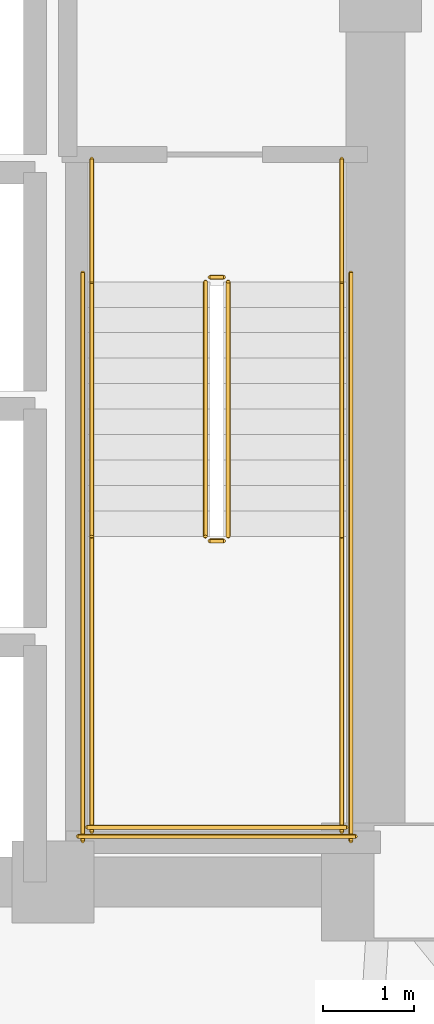
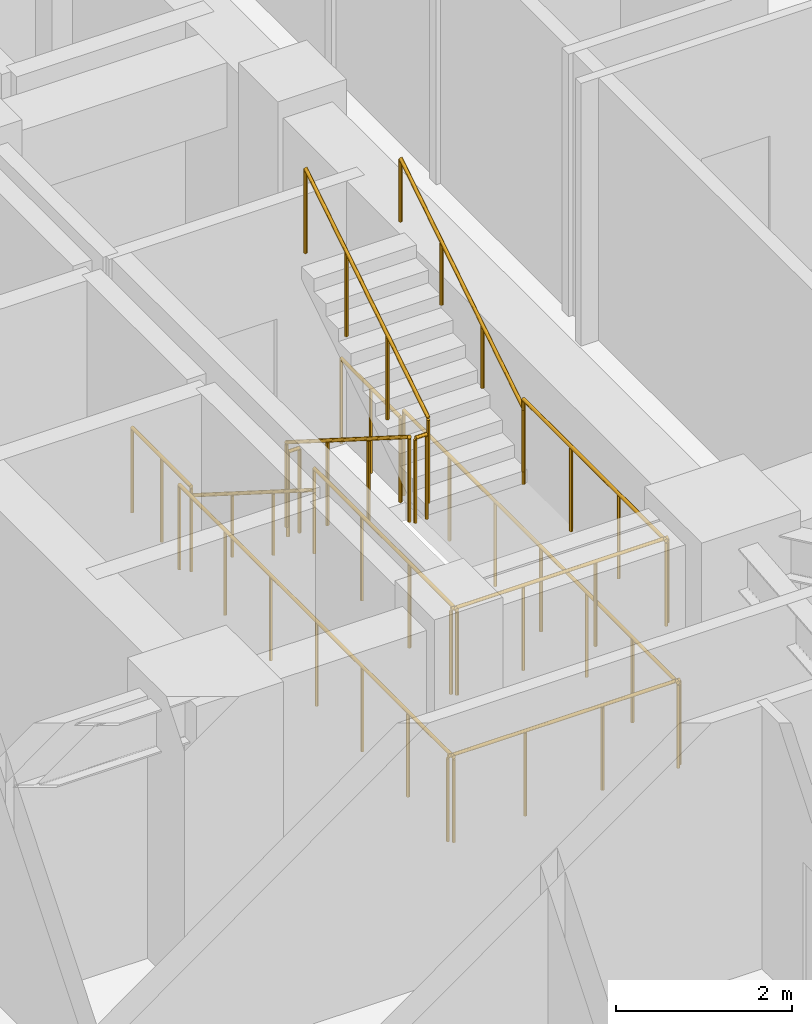
# One storey, part 12 of 12: 14 railings.
"""IFC4 building model written with IfcOpenShell, lengths in metres."""

import ifcopenshell
import ifcopenshell.guid

model = None  # the IFC model being written
_history = None  # IfcOwnerHistory: only IFC2X3 demands one
_inside = {}  # id of a spatial element -> (the spatial element, [elements in it])
_under = {}  # id of a project, library or spatial element -> (it, [spatial elements below it])
_declared = {}  # id of a project -> (the project, [libraries it declares])
_typed = {}  # id of a type object -> (the type object, [elements of that type])
_made_of = {}  # id of a material, layer set ... -> (it, [elements and type objects made of it])


def new_model(schema):
    """Start an empty IFC model of exactly this schema.

    Asked for "IFC4X3", IfcOpenShell would pick the latest addendum, in which some entities
    have other attributes; the version numbers below select the first issue.
    IFC2X3 requires an IfcOwnerHistory on every rooted entity: one is made here for all.
    """
    global model, _history
    if schema == "IFC4X3":
        model = ifcopenshell.file(schema_version=(4, 3, 0, 0))
    else:
        model = ifcopenshell.file(schema=schema)
    _inside.clear()
    _under.clear()
    _declared.clear()
    _typed.clear()
    _made_of.clear()
    _history = None
    if model.schema == "IFC2X3":
        org = make("IfcOrganization", Name="unknown")
        user = make(
            "IfcPersonAndOrganization",
            ThePerson=make("IfcPerson", FamilyName="unknown"),
            TheOrganization=org,
        )
        app = make(
            "IfcApplication",
            ApplicationDeveloper=org,
            Version="unknown",
            ApplicationFullName="unknown",
            ApplicationIdentifier="unknown",
        )
        _history = make(
            "IfcOwnerHistory",
            OwningUser=user,
            OwningApplication=app,
            ChangeAction="ADDED",
            CreationDate=0,
        )
    return model


def make(cls, **values):
    """One entity of the class cls with the attributes given. An attribute that is None is left unset."""
    return model.create_entity(
        cls, **{name: value for name, value in values.items() if value is not None}
    )


def rooted(cls, **values):
    """An entity with a GlobalId (a new one), such as an element, a storey or a relation."""
    return make(cls, GlobalId=ifcopenshell.guid.new(), OwnerHistory=_history, **values)


def si_unit(unit_type, name, prefix=None):
    """IfcSIUnit, for example si_unit("LENGTHUNIT", "METRE", prefix="MILLI")."""
    return make("IfcSIUnit", UnitType=unit_type, Prefix=prefix, Name=name)


def assignment(units):
    """IfcUnitAssignment: the units of a project."""
    return None if units is None else make("IfcUnitAssignment", Units=units)


def point(xyz):
    """IfcCartesianPoint."""
    return None if xyz is None else make("IfcCartesianPoint", Coordinates=xyz)


def direction(xyz):
    """IfcDirection."""
    return None if xyz is None else make("IfcDirection", DirectionRatios=xyz)


def frame(location, z_axis=None, x_axis=None):
    """IfcAxis2Placement3D, a coordinate frame: its origin and axes. An axis left out is left unset."""
    return make(
        "IfcAxis2Placement3D",
        Location=point(location),
        Axis=direction(z_axis),
        RefDirection=direction(x_axis),
    )


def frame_2d(location, x_axis=None):
    """IfcAxis2Placement2D, a coordinate frame in the plane: its origin and x axis."""
    return make(
        "IfcAxis2Placement2D", Location=point(location), RefDirection=direction(x_axis)
    )


def origin():
    """The frame at (0, 0, 0) with its axes left unset."""
    return frame((0.0, 0.0, 0.0))


def origin_2d():
    """The frame at (0, 0) in the plane with its x axis left unset."""
    return frame_2d((0.0, 0.0))


def place(relative_to, where):
    """IfcLocalPlacement: puts the frame where relative to a parent placement (None: the world)."""
    return make(
        "IfcLocalPlacement", PlacementRelTo=relative_to, RelativePlacement=where
    )


def context(
    kind, dimensions, precision=None, world=None, true_north=None, identifier=None
):
    """IfcGeometricRepresentationContext, for example the 3D "Model" context."""
    return make(
        "IfcGeometricRepresentationContext",
        ContextIdentifier=identifier,
        ContextType=kind,
        CoordinateSpaceDimension=dimensions,
        Precision=precision,
        WorldCoordinateSystem=world,
        TrueNorth=true_north,
    )


def subcontext(parent, identifier, kind, view, scale=None):
    """IfcGeometricRepresentationSubContext, for example "Body" below "Model"."""
    return make(
        "IfcGeometricRepresentationSubContext",
        ContextIdentifier=identifier,
        ContextType=kind,
        ParentContext=parent,
        TargetScale=scale,
        TargetView=view,
    )


def project(units=None, contexts=None):
    """IfcProject with its units and contexts."""
    return rooted(
        "IfcProject",
        Name="project",
        RepresentationContexts=contexts,
        UnitsInContext=assignment(units),
    )


def spatial(cls, under=None, at=None, **own):
    """A site, building, storey or space (cls), placed at a placement, below another one or the project."""
    s = rooted(cls, ObjectPlacement=at, **own)
    if under is not None:
        _under.setdefault(under.id(), (under, []))[1].append(s)
    return s


def profile(cls, at=None, kind="AREA", **sizes):
    """A parametric profile (cls). Its sizes go by their IFC names, for example OverallWidth=200.0."""
    return make(cls, ProfileType=kind, Position=at, **sizes)


def circle(**sizes):
    """IfcCircleProfileDef."""
    return profile("IfcCircleProfileDef", **sizes)


def extrude(swept, where, along, depth):
    """IfcExtrudedAreaSolid: the profile swept, set in the frame where, extruded along a direction by depth."""
    return make(
        "IfcExtrudedAreaSolid",
        SweptArea=swept,
        Position=where,
        ExtrudedDirection=direction(along),
        Depth=depth,
    )


def shape(context_of_items, identifier, shape_type, items):
    """IfcShapeRepresentation: the items that make up one representation, for example the "Body"."""
    return make(
        "IfcShapeRepresentation",
        ContextOfItems=context_of_items,
        RepresentationIdentifier=identifier,
        RepresentationType=shape_type,
        Items=items,
    )


def material(Name=None, Category=None):
    """IfcMaterial."""
    return make("IfcMaterial", Name=Name, Category=Category)


def made_of(thing, what):
    """Note that an element or type object is made of a material, layer set ...; save() writes the relation."""
    if what is not None:
        _made_of.setdefault(what.id(), (what, []))[1].append(thing)
    return thing


def type_object(cls, material=None, **own):
    """A type object (cls), such as IfcWallType, which elements share."""
    return made_of(rooted(cls, **own), material)


def element(
    cls,
    number,
    at=None,
    inside=None,
    cuts=None,
    type_object=None,
    material=None,
    context=None,
    identifier="Body",
    shape_type=None,
    held_by="IfcProductDefinitionShape",
    body=None,
    shapes=None,
    **own,
):
    """One element of the class cls, such as IfcWall. Its Tag is "e" and its number.

    at: its placement. inside: the storey or other place that contains it. cuts: it is an
    opening in that element (IfcRelVoidsElement). A single representation is given by context,
    identifier, shape_type and body (its items); several are given by shapes. held_by: the class
    of the entity that holds the representations. save() writes the other relations.
    """
    e = rooted(cls, Tag="e%d" % number, ObjectPlacement=at, **own)
    if body is not None:
        shapes = [shape(context, identifier, shape_type, body)]
    if shapes is not None:
        e.Representation = make(held_by, Representations=shapes)
    if inside is not None:
        _inside.setdefault(inside.id(), (inside, []))[1].append(e)
    if cuts is not None:
        rooted(
            "IfcRelVoidsElement", RelatingBuildingElement=cuts, RelatedOpeningElement=e
        )
    if type_object is not None:
        _typed.setdefault(type_object.id(), (type_object, []))[1].append(e)
    return made_of(e, material)


def aggregate(whole, parts):
    """IfcRelAggregates: a whole, such as a stair, and the parts it consists of."""
    return rooted("IfcRelAggregates", RelatingObject=whole, RelatedObjects=parts)


def save(model, path):
    """Write the relations noted so far, then the file.

    IfcRelAggregates (storeys below a building ...), IfcRelContainedInSpatialStructure (elements
    in a storey), IfcRelDefinesByType, IfcRelAssociatesMaterial and IfcRelDeclares: one each for
    every whole, place, type object, material and project.
    """
    for whole, parts in _under.values():
        aggregate(whole, parts)
    for where, things in _inside.values():
        rooted(
            "IfcRelContainedInSpatialStructure",
            RelatedElements=things,
            RelatingStructure=where,
        )
    for kind, things in _typed.values():
        rooted("IfcRelDefinesByType", RelatedObjects=things, RelatingType=kind)
    for what, things in _made_of.values():
        rooted("IfcRelAssociatesMaterial", RelatedObjects=things, RelatingMaterial=what)
    for by, libraries in _declared.values():
        rooted("IfcRelDeclares", RelatingContext=by, RelatedDefinitions=libraries)
    model.write(path)


model = new_model("IFC4")

# Units and contexts
model_context = context("Model", 3, precision=1e-05, world=origin(), true_north=direction((0.0, 1.0)))
body_context = subcontext(model_context, "Body", "Model", "MODEL_VIEW")
ifc_project = project(units=[si_unit("LENGTHUNIT", "METRE"), si_unit("AREAUNIT", "SQUARE_METRE"), si_unit("VOLUMEUNIT", "CUBIC_METRE"), si_unit("PLANEANGLEUNIT", "RADIAN"), si_unit("MASSUNIT", "GRAM", prefix="KILO")], contexts=[model_context])

# Site, building, storey
site_placement = place(None, origin())
site = spatial("IfcSite", under=ifc_project, at=site_placement, CompositionType="ELEMENT")
building_placement = place(site_placement, origin())
building = spatial("IfcBuilding", under=site, at=building_placement, Name="Voryun Gate Residences", CompositionType="ELEMENT")
storey_placement = place(building_placement, frame((0.0, 0.0, 109.199951171875)))
storey = spatial("IfcBuildingStorey", under=building, at=storey_placement, Name="L26", CompositionType="ELEMENT", Elevation=109.199951171875)

# Railings
ifc_material_1 = material(Name="Painted steel", Category="steel")
railing_type_1 = type_object("IfcRailingType", Name="RAIL_STAIR_GUARD_1200", PredefinedType="GUARDRAIL", material=ifc_material_1)
railing_1_placement = place(storey_placement, frame((17.27490234375, -0.800048828125, 0.17724609375)))
element("IfcRailing", 1, at=railing_1_placement, inside=storey, type_object=railing_type_1, Name="L26 ST-E1 stair guard 1", PredefinedType="GUARDRAIL", context=body_context, shape_type="SweptSolid", body=[
    extrude(circle(Radius=0.02392578125, at=origin_2d()), frame((0.0, 0.0, 1.17578125), z_axis=(0.0, -0.844908973607, 0.534910110503), x_axis=(1.0, 0.0, 0.0)), (0.0, 0.0, 1.0), 3.31396484375),
    extrude(circle(Radius=0.02099609375, at=origin_2d()), origin(), (0.0, 0.0, 1.0), 1.15185546875),
    extrude(circle(Radius=0.02099609375, at=origin_2d()), frame((0.0, -0.933349609375, 0.5908203125)), (0.0, 0.0, 1.0), 1.15185546875),
    extrude(circle(Radius=0.02099609375, at=origin_2d()), frame((0.0, -1.86669921875, 1.181884765625)), (0.0, 0.0, 1.0), 1.15185546875),
    extrude(circle(Radius=0.02099609375, at=origin_2d()), frame((0.0, -2.800048828125, 1.772705078125)), (0.0, 0.0, 1.0), 1.15185546875),
])
railing_2_placement = place(storey_placement, frame((17.324951171875, -3.64990234375, 1.949951171875)))
element("IfcRailing", 2, at=railing_2_placement, inside=storey, type_object=railing_type_1, Name="L26 ST-E1 stair guard 2", PredefinedType="GUARDRAIL", context=body_context, shape_type="SweptSolid", body=[
    extrude(circle(Radius=0.02392578125, at=origin_2d()), frame((0.0, 0.0, 1.17578125), z_axis=(1.0, 0.0, 0.0), x_axis=(0.0, 1.0, 0.0)), (0.0, 0.0, 1.0), 0.150146484375),
    extrude(circle(Radius=0.02099609375, at=origin_2d()), origin(), (0.0, 0.0, 1.0), 1.15185546875),
    extrude(circle(Radius=0.02099609375, at=origin_2d()), frame((0.150146484375, 0.0, 0.0)), (0.0, 0.0, 1.0), 1.15185546875),
])
for number, where, name in (
    (3, (16.02490234375, -3.60009765625, 1.949951171875), "L26 ST-E1 stair guard 3"),
    (4, (18.77490234375, -3.60009765625, 1.949951171875), "L26 ST-E1 stair guard 4"),
):
    element("IfcRailing", number, at=place(storey_placement, frame(where)), inside=storey, type_object=railing_type_1, Name=name, PredefinedType="GUARDRAIL", context=body_context, shape_type="SweptSolid", body=[
        extrude(circle(Radius=0.02392578125, at=origin_2d()), frame((0.0, 0.0, 1.17578125), z_axis=(0.0, -1.0, 0.0), x_axis=(1.0, 0.0, 0.0)), (0.0, 0.0, 1.0), 3.25),
        extrude(circle(Radius=0.02099609375, at=origin_2d()), origin(), (0.0, 0.0, 1.0), 1.15185546875),
        extrude(circle(Radius=0.02099609375, at=origin_2d()), frame((0.0, -1.083251953125, 0.0)), (0.0, 0.0, 1.0), 1.15185546875),
        extrude(circle(Radius=0.02099609375, at=origin_2d()), frame((0.0, -2.166748046875, 0.0)), (0.0, 0.0, 1.0), 1.15185546875),
        extrude(circle(Radius=0.02099609375, at=origin_2d()), frame((0.0, -3.25, 0.0)), (0.0, 0.0, 1.0), 1.15185546875),
    ])
railing_3_placement = place(storey_placement, frame((15.97509765625, -6.800048828125, 1.949951171875)))
element("IfcRailing", 5, at=railing_3_placement, inside=storey, type_object=railing_type_1, Name="L26 ST-E1 stair guard 5", PredefinedType="GUARDRAIL", context=body_context, shape_type="SweptSolid", body=[
    extrude(circle(Radius=0.02392578125, at=origin_2d()), frame((0.0, 0.0, 1.17578125), z_axis=(1.0, 0.0, 0.0), x_axis=(0.0, 1.0, 0.0)), (0.0, 0.0, 1.0), 2.849853515625),
    extrude(circle(Radius=0.02099609375, at=origin_2d()), origin(), (0.0, 0.0, 1.0), 1.15185546875),
    extrude(circle(Radius=0.02099609375, at=origin_2d()), frame((0.949951171875, 0.0, 0.0)), (0.0, 0.0, 1.0), 1.15185546875),
    extrude(circle(Radius=0.02099609375, at=origin_2d()), frame((1.89990234375, 0.0, 0.0)), (0.0, 0.0, 1.0), 1.15185546875),
    extrude(circle(Radius=0.02099609375, at=origin_2d()), frame((2.849853515625, 0.0, 0.0)), (0.0, 0.0, 1.0), 1.15185546875),
])
railing_4_placement = place(storey_placement, frame((17.52490234375, -3.60009765625, 2.12744140625)))
element("IfcRailing", 6, at=railing_4_placement, inside=storey, type_object=railing_type_1, Name="L26 ST-E1 stair guard 6", PredefinedType="GUARDRAIL", context=body_context, shape_type="SweptSolid", body=[
    extrude(circle(Radius=0.02392578125, at=origin_2d()), frame((0.0, 0.0, 1.17578125), z_axis=(0.0, 0.844908973607, 0.534910110503), x_axis=(-1.0, 0.0, 0.0)), (0.0, 0.0, 1.0), 3.31396484375),
    extrude(circle(Radius=0.02099609375, at=origin_2d()), origin(), (0.0, 0.0, 1.0), 1.15185546875),
    extrude(circle(Radius=0.02099609375, at=origin_2d()), frame((0.0, 0.933349609375, 0.5908203125)), (0.0, 0.0, 1.0), 1.15185546875),
    extrude(circle(Radius=0.02099609375, at=origin_2d()), frame((0.0, 1.86669921875, 1.181884765625)), (0.0, 0.0, 1.0), 1.15185546875),
    extrude(circle(Radius=0.02099609375, at=origin_2d()), frame((0.0, 2.800048828125, 1.772705078125)), (0.0, 0.0, 1.0), 1.15185546875),
])
railing_5_placement = place(storey_placement, frame((17.324951171875, -0.75, 0.0)))
element("IfcRailing", 7, at=railing_5_placement, inside=storey, type_object=railing_type_1, Name="L26 ST-E1 stair guard 7", PredefinedType="GUARDRAIL", context=body_context, shape_type="SweptSolid", body=[
    extrude(circle(Radius=0.02392578125, at=origin_2d()), frame((0.0, 0.0, 1.17578125), z_axis=(1.0, 0.0, 0.0), x_axis=(0.0, 1.0, 0.0)), (0.0, 0.0, 1.0), 0.150146484375),
    extrude(circle(Radius=0.02099609375, at=origin_2d()), origin(), (0.0, 0.0, 1.0), 1.15185546875),
    extrude(circle(Radius=0.02099609375, at=origin_2d()), frame((0.150146484375, 0.0, 0.0)), (0.0, 0.0, 1.0), 1.15185546875),
])
for number, where, name in (
    (8, (16.02490234375, 0.550048828125, 0.0), "L26 ST-E1 stair guard 8"),
    (9, (18.77490234375, 0.550048828125, 0.0), "L26 ST-E1 stair guard 9"),
):
    element("IfcRailing", number, at=place(storey_placement, frame(where)), inside=storey, type_object=railing_type_1, Name=name, PredefinedType="GUARDRAIL", context=body_context, shape_type="SweptSolid", body=[
        extrude(circle(Radius=0.02392578125, at=origin_2d()), frame((0.0, 0.0, 1.17578125), z_axis=(0.0, -1.0, 0.0), x_axis=(1.0, 0.0, 0.0)), (0.0, 0.0, 1.0), 1.35009765625),
        extrude(circle(Radius=0.02099609375, at=origin_2d()), origin(), (0.0, 0.0, 1.0), 1.15185546875),
        extrude(circle(Radius=0.02099609375, at=origin_2d()), frame((0.0, -0.675048828125, 0.0)), (0.0, 0.0, 1.0), 1.15185546875),
        extrude(circle(Radius=0.02099609375, at=origin_2d()), frame((0.0, -1.35009765625, 0.0)), (0.0, 0.0, 1.0), 1.15185546875),
    ])
for number, where, name in (
    (10, (15.925048828125, -0.699951171875, 0.0), "L26 ST-E1 stair guard 10"),
    (11, (18.875, -0.699951171875, 0.0), "L26 ST-E1 stair guard 11"),
):
    element("IfcRailing", number, at=place(storey_placement, frame(where)), inside=storey, type_object=railing_type_1, Name=name, PredefinedType="GUARDRAIL", context=body_context, shape_type="SweptSolid", body=[
        extrude(circle(Radius=0.02392578125, at=origin_2d()), frame((0.0, 0.0, 1.17578125), z_axis=(0.0, -1.0, 0.0), x_axis=(1.0, 0.0, 0.0)), (0.0, 0.0, 1.0), 6.25),
        extrude(circle(Radius=0.02099609375, at=origin_2d()), origin(), (0.0, 0.0, 1.0), 1.15185546875),
        extrude(circle(Radius=0.02099609375, at=origin_2d()), frame((0.0, -1.041748046875, 0.0)), (0.0, 0.0, 1.0), 1.15185546875),
        extrude(circle(Radius=0.02099609375, at=origin_2d()), frame((0.0, -2.083251953125, 0.0)), (0.0, 0.0, 1.0), 1.15185546875),
        extrude(circle(Radius=0.02099609375, at=origin_2d()), frame((0.0, -3.125, 0.0)), (0.0, 0.0, 1.0), 1.15185546875),
        extrude(circle(Radius=0.02099609375, at=origin_2d()), frame((0.0, -4.166748046875, 0.0)), (0.0, 0.0, 1.0), 1.15185546875),
        extrude(circle(Radius=0.02099609375, at=origin_2d()), frame((0.0, -5.208251953125, 0.0)), (0.0, 0.0, 1.0), 1.15185546875),
        extrude(circle(Radius=0.02099609375, at=origin_2d()), frame((0.0, -6.25, 0.0)), (0.0, 0.0, 1.0), 1.15185546875),
    ])
railing_6_placement = place(storey_placement, frame((15.875, -6.89990234375, 0.0)))
element("IfcRailing", 12, at=railing_6_placement, inside=storey, type_object=railing_type_1, Name="L26 ST-E1 stair guard 12", PredefinedType="GUARDRAIL", context=body_context, shape_type="SweptSolid", body=[
    extrude(circle(Radius=0.02392578125, at=origin_2d()), frame((0.0, 0.0, 1.17578125), z_axis=(1.0, 0.0, 0.0), x_axis=(0.0, 1.0, 0.0)), (0.0, 0.0, 1.0), 3.050048828125),
    extrude(circle(Radius=0.02099609375, at=origin_2d()), origin(), (0.0, 0.0, 1.0), 1.15185546875),
    extrude(circle(Radius=0.02099609375, at=origin_2d()), frame((1.0166015625, 0.0, 0.0)), (0.0, 0.0, 1.0), 1.15185546875),
    extrude(circle(Radius=0.02099609375, at=origin_2d()), frame((2.033447265625, 0.0, 0.0)), (0.0, 0.0, 1.0), 1.15185546875),
    extrude(circle(Radius=0.02099609375, at=origin_2d()), frame((3.050048828125, 0.0, 0.0)), (0.0, 0.0, 1.0), 1.15185546875),
])
ifc_material_2 = material(Name="Painted steel", Category="steel")
railing_type_2 = type_object("IfcRailingType", Name="RAIL_STAIR_HANDRAIL_900", PredefinedType="HANDRAIL", material=ifc_material_2)
railing_7_placement = place(storey_placement, frame((16.02490234375, -0.800048828125, 0.17724609375)))
element("IfcRailing", 13, at=railing_7_placement, inside=storey, type_object=railing_type_2, Name="L26 ST-E1 stair handrail 1", PredefinedType="HANDRAIL", context=body_context, shape_type="SweptSolid", body=[
    extrude(circle(Radius=0.02392578125, at=origin_2d()), frame((0.0, 0.0, 0.8759765625), z_axis=(0.0, -0.844908973607, 0.534910110503), x_axis=(1.0, 0.0, 0.0)), (0.0, 0.0, 1.0), 3.31396484375),
    extrude(circle(Radius=0.02099609375, at=origin_2d()), origin(), (0.0, 0.0, 1.0), 0.851806640625),
    extrude(circle(Radius=0.02099609375, at=origin_2d()), frame((0.0, -0.933349609375, 0.5908203125)), (0.0, 0.0, 1.0), 0.851806640625),
    extrude(circle(Radius=0.02099609375, at=origin_2d()), frame((0.0, -1.86669921875, 1.181884765625)), (0.0, 0.0, 1.0), 0.851806640625),
    extrude(circle(Radius=0.02099609375, at=origin_2d()), frame((0.0, -2.800048828125, 1.772705078125)), (0.0, 0.0, 1.0), 0.851806640625),
])
railing_8_placement = place(storey_placement, frame((18.77490234375, -3.60009765625, 2.12744140625)))
element("IfcRailing", 14, at=railing_8_placement, inside=storey, type_object=railing_type_2, Name="L26 ST-E1 stair handrail 2", PredefinedType="HANDRAIL", context=body_context, shape_type="SweptSolid", body=[
    extrude(circle(Radius=0.02392578125, at=origin_2d()), frame((0.0, 0.0, 0.8759765625), z_axis=(0.0, 0.844908973607, 0.534910110503), x_axis=(-1.0, 0.0, 0.0)), (0.0, 0.0, 1.0), 3.31396484375),
    extrude(circle(Radius=0.02099609375, at=origin_2d()), origin(), (0.0, 0.0, 1.0), 0.851806640625),
    extrude(circle(Radius=0.02099609375, at=origin_2d()), frame((0.0, 0.933349609375, 0.5908203125)), (0.0, 0.0, 1.0), 0.851806640625),
    extrude(circle(Radius=0.02099609375, at=origin_2d()), frame((0.0, 1.86669921875, 1.181884765625)), (0.0, 0.0, 1.0), 0.851806640625),
    extrude(circle(Radius=0.02099609375, at=origin_2d()), frame((0.0, 2.800048828125, 1.772705078125)), (0.0, 0.0, 1.0), 0.851806640625),
])

save(model, "model.ifc")
